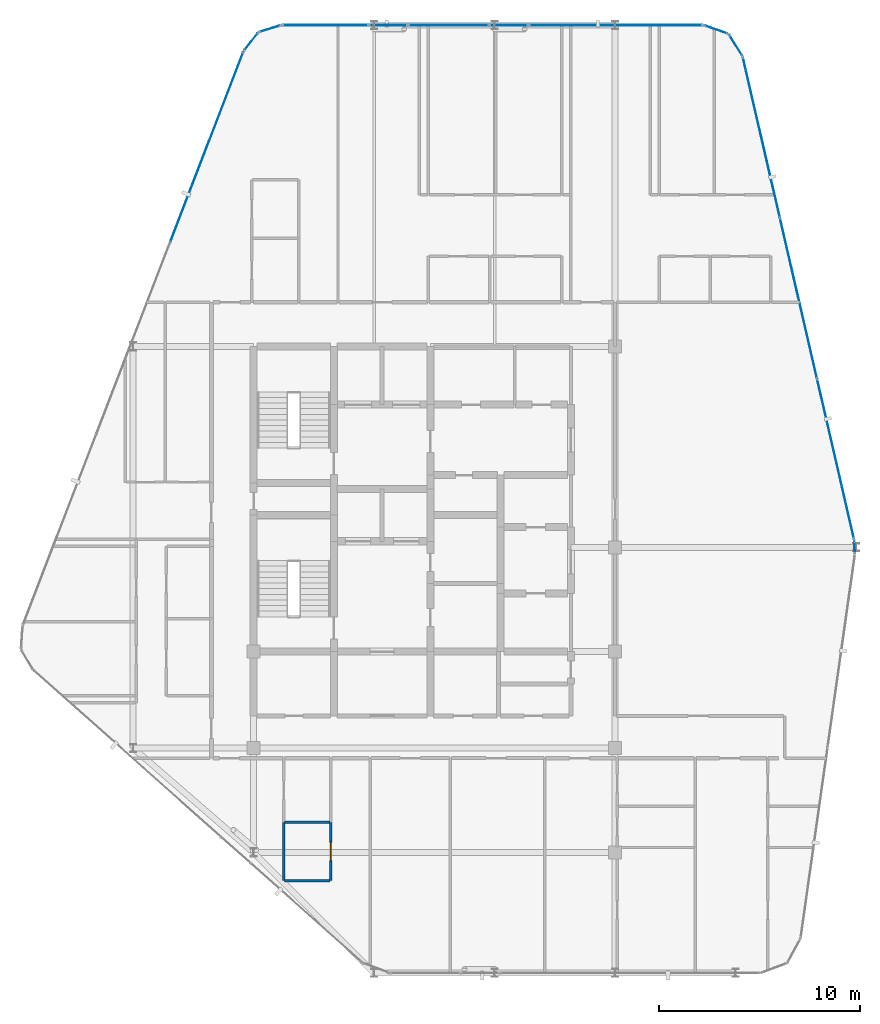
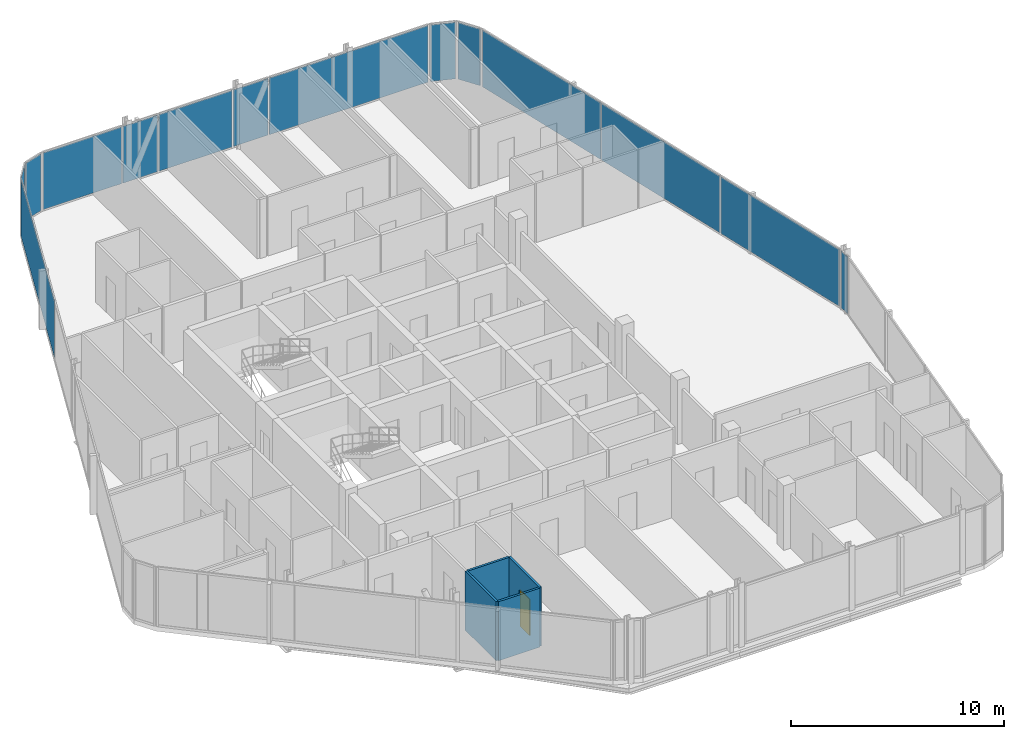
# One storey, part 21 of 27: 14 plates, 4 walls, 1 door, 1 opening, 12 elements without a shape of their own.
"""IFC4 building model written with IfcOpenShell, lengths in metres."""

import ifcopenshell
import ifcopenshell.guid

model = None  # the IFC model being written
_history = None  # IfcOwnerHistory: only IFC2X3 demands one
_inside = {}  # id of a spatial element -> (the spatial element, [elements in it])
_under = {}  # id of a project, library or spatial element -> (it, [spatial elements below it])
_declared = {}  # id of a project -> (the project, [libraries it declares])
_typed = {}  # id of a type object -> (the type object, [elements of that type])
_made_of = {}  # id of a material, layer set ... -> (it, [elements and type objects made of it])


def new_model(schema):
    """Start an empty IFC model of exactly this schema.

    Asked for "IFC4X3", IfcOpenShell would pick the latest addendum, in which some entities
    have other attributes; the version numbers below select the first issue.
    IFC2X3 requires an IfcOwnerHistory on every rooted entity: one is made here for all.
    """
    global model, _history
    if schema == "IFC4X3":
        model = ifcopenshell.file(schema_version=(4, 3, 0, 0))
    else:
        model = ifcopenshell.file(schema=schema)
    _inside.clear()
    _under.clear()
    _declared.clear()
    _typed.clear()
    _made_of.clear()
    _history = None
    if model.schema == "IFC2X3":
        org = make("IfcOrganization", Name="unknown")
        user = make(
            "IfcPersonAndOrganization",
            ThePerson=make("IfcPerson", FamilyName="unknown"),
            TheOrganization=org,
        )
        app = make(
            "IfcApplication",
            ApplicationDeveloper=org,
            Version="unknown",
            ApplicationFullName="unknown",
            ApplicationIdentifier="unknown",
        )
        _history = make(
            "IfcOwnerHistory",
            OwningUser=user,
            OwningApplication=app,
            ChangeAction="ADDED",
            CreationDate=0,
        )
    return model


def make(cls, **values):
    """One entity of the class cls with the attributes given. An attribute that is None is left unset."""
    return model.create_entity(
        cls, **{name: value for name, value in values.items() if value is not None}
    )


def rooted(cls, **values):
    """An entity with a GlobalId (a new one), such as an element, a storey or a relation."""
    return make(cls, GlobalId=ifcopenshell.guid.new(), OwnerHistory=_history, **values)


def si_unit(unit_type, name, prefix=None):
    """IfcSIUnit, for example si_unit("LENGTHUNIT", "METRE", prefix="MILLI")."""
    return make("IfcSIUnit", UnitType=unit_type, Prefix=prefix, Name=name)


def assignment(units):
    """IfcUnitAssignment: the units of a project."""
    return None if units is None else make("IfcUnitAssignment", Units=units)


def point(xyz):
    """IfcCartesianPoint."""
    return None if xyz is None else make("IfcCartesianPoint", Coordinates=xyz)


def direction(xyz):
    """IfcDirection."""
    return None if xyz is None else make("IfcDirection", DirectionRatios=xyz)


def frame(location, z_axis=None, x_axis=None):
    """IfcAxis2Placement3D, a coordinate frame: its origin and axes. An axis left out is left unset."""
    return make(
        "IfcAxis2Placement3D",
        Location=point(location),
        Axis=direction(z_axis),
        RefDirection=direction(x_axis),
    )


def frame_2d(location, x_axis=None):
    """IfcAxis2Placement2D, a coordinate frame in the plane: its origin and x axis."""
    return make(
        "IfcAxis2Placement2D", Location=point(location), RefDirection=direction(x_axis)
    )


def origin():
    """The frame at (0, 0, 0) with its axes left unset."""
    return frame((0.0, 0.0, 0.0))


def origin_2d():
    """The frame at (0, 0) in the plane with its x axis left unset."""
    return frame_2d((0.0, 0.0))


def place(relative_to, where):
    """IfcLocalPlacement: puts the frame where relative to a parent placement (None: the world)."""
    return make(
        "IfcLocalPlacement", PlacementRelTo=relative_to, RelativePlacement=where
    )


def context(
    kind, dimensions, precision=None, world=None, true_north=None, identifier=None
):
    """IfcGeometricRepresentationContext, for example the 3D "Model" context."""
    return make(
        "IfcGeometricRepresentationContext",
        ContextIdentifier=identifier,
        ContextType=kind,
        CoordinateSpaceDimension=dimensions,
        Precision=precision,
        WorldCoordinateSystem=world,
        TrueNorth=true_north,
    )


def subcontext(parent, identifier, kind, view, scale=None):
    """IfcGeometricRepresentationSubContext, for example "Body" below "Model"."""
    return make(
        "IfcGeometricRepresentationSubContext",
        ContextIdentifier=identifier,
        ContextType=kind,
        ParentContext=parent,
        TargetScale=scale,
        TargetView=view,
    )


def project(units=None, contexts=None):
    """IfcProject with its units and contexts."""
    return rooted(
        "IfcProject",
        Name="project",
        RepresentationContexts=contexts,
        UnitsInContext=assignment(units),
    )


def spatial(cls, under=None, at=None, **own):
    """A site, building, storey or space (cls), placed at a placement, below another one or the project."""
    s = rooted(cls, ObjectPlacement=at, **own)
    if under is not None:
        _under.setdefault(under.id(), (under, []))[1].append(s)
    return s


def profile(cls, at=None, kind="AREA", **sizes):
    """A parametric profile (cls). Its sizes go by their IFC names, for example OverallWidth=200.0."""
    return make(cls, ProfileType=kind, Position=at, **sizes)


def rectangle(**sizes):
    """IfcRectangleProfileDef."""
    return profile("IfcRectangleProfileDef", **sizes)


def extrude(swept, where, along, depth):
    """IfcExtrudedAreaSolid: the profile swept, set in the frame where, extruded along a direction by depth."""
    return make(
        "IfcExtrudedAreaSolid",
        SweptArea=swept,
        Position=where,
        ExtrudedDirection=direction(along),
        Depth=depth,
    )


def shape(context_of_items, identifier, shape_type, items):
    """IfcShapeRepresentation: the items that make up one representation, for example the "Body"."""
    return make(
        "IfcShapeRepresentation",
        ContextOfItems=context_of_items,
        RepresentationIdentifier=identifier,
        RepresentationType=shape_type,
        Items=items,
    )


def material(Name=None, Category=None):
    """IfcMaterial."""
    return make("IfcMaterial", Name=Name, Category=Category)


def layer(
    of_material, thickness, ventilated=None, Name=None, Category=None, Priority=None
):
    """IfcMaterialLayer: one layer of a wall or slab, of a material (None: an air gap)."""
    return make(
        "IfcMaterialLayer",
        Material=of_material,
        LayerThickness=thickness,
        IsVentilated=ventilated,
        Name=Name,
        Category=Category,
        Priority=Priority,
    )


def layer_set(layers, Name=None):
    """IfcMaterialLayerSet."""
    return make("IfcMaterialLayerSet", MaterialLayers=layers, LayerSetName=Name)


def made_of(thing, what):
    """Note that an element or type object is made of a material, layer set ...; save() writes the relation."""
    if what is not None:
        _made_of.setdefault(what.id(), (what, []))[1].append(thing)
    return thing


def type_object(cls, material=None, **own):
    """A type object (cls), such as IfcWallType, which elements share."""
    return made_of(rooted(cls, **own), material)


def element(
    cls,
    number,
    at=None,
    inside=None,
    cuts=None,
    type_object=None,
    material=None,
    context=None,
    identifier="Body",
    shape_type=None,
    held_by="IfcProductDefinitionShape",
    body=None,
    shapes=None,
    **own,
):
    """One element of the class cls, such as IfcWall. Its Tag is "e" and its number.

    at: its placement. inside: the storey or other place that contains it. cuts: it is an
    opening in that element (IfcRelVoidsElement). A single representation is given by context,
    identifier, shape_type and body (its items); several are given by shapes. held_by: the class
    of the entity that holds the representations. save() writes the other relations.
    """
    e = rooted(cls, Tag="e%d" % number, ObjectPlacement=at, **own)
    if body is not None:
        shapes = [shape(context, identifier, shape_type, body)]
    if shapes is not None:
        e.Representation = make(held_by, Representations=shapes)
    if inside is not None:
        _inside.setdefault(inside.id(), (inside, []))[1].append(e)
    if cuts is not None:
        rooted(
            "IfcRelVoidsElement", RelatingBuildingElement=cuts, RelatedOpeningElement=e
        )
    if type_object is not None:
        _typed.setdefault(type_object.id(), (type_object, []))[1].append(e)
    return made_of(e, material)


def fill(opening, filler):
    """IfcRelFillsElement: the door or window that sits in an opening."""
    return rooted(
        "IfcRelFillsElement",
        RelatingOpeningElement=opening,
        RelatedBuildingElement=filler,
    )


def aggregate(whole, parts):
    """IfcRelAggregates: a whole, such as a stair, and the parts it consists of."""
    return rooted("IfcRelAggregates", RelatingObject=whole, RelatedObjects=parts)


def save(model, path):
    """Write the relations noted so far, then the file.

    IfcRelAggregates (storeys below a building ...), IfcRelContainedInSpatialStructure (elements
    in a storey), IfcRelDefinesByType, IfcRelAssociatesMaterial and IfcRelDeclares: one each for
    every whole, place, type object, material and project.
    """
    for whole, parts in _under.values():
        aggregate(whole, parts)
    for where, things in _inside.values():
        rooted(
            "IfcRelContainedInSpatialStructure",
            RelatedElements=things,
            RelatingStructure=where,
        )
    for kind, things in _typed.values():
        rooted("IfcRelDefinesByType", RelatedObjects=things, RelatingType=kind)
    for what, things in _made_of.values():
        rooted("IfcRelAssociatesMaterial", RelatedObjects=things, RelatingMaterial=what)
    for by, libraries in _declared.values():
        rooted("IfcRelDeclares", RelatingContext=by, RelatedDefinitions=libraries)
    model.write(path)


model = new_model("IFC4")

# Units and contexts
model_context = context("Model", 3, precision=1e-05, world=origin(), true_north=direction((0.0, 1.0)))
body_context = subcontext(model_context, "Body", "Model", "MODEL_VIEW")
ifc_project = project(units=[si_unit("LENGTHUNIT", "METRE"), si_unit("AREAUNIT", "SQUARE_METRE"), si_unit("VOLUMEUNIT", "CUBIC_METRE"), si_unit("PLANEANGLEUNIT", "RADIAN"), si_unit("MASSUNIT", "GRAM", prefix="KILO")], contexts=[model_context])

# Site, building, storey
site_placement = place(None, origin())
site = spatial("IfcSite", under=ifc_project, at=site_placement, CompositionType="ELEMENT")
building_placement = place(site_placement, origin())
building = spatial("IfcBuilding", under=site, at=building_placement, Name="Keshet Zoharim Tower", CompositionType="ELEMENT")
storey_placement = place(building_placement, frame((0.0, 0.0, 288.0)))
storey = spatial("IfcBuildingStorey", under=building, at=storey_placement, Name="L72", CompositionType="ELEMENT", Elevation=288.0)

# Curtain wall, plate
ifc_material_1 = material(Name="Aluminium 6063-T6", Category="aluminium")
ifc_layer_1 = layer(ifc_material_1, 0.260009765625)
ifc_layer_set_1 = layer_set([ifc_layer_1], Name="Aluminium 6063-T6")
curtain_wall_type = type_object("IfcCurtainWallType", Name="CW-SYS-06", PredefinedType="NOTDEFINED", material=ifc_layer_set_1)
curtain_wall_1_placement = place(storey_placement, origin())
curtain_wall_1 = element("IfcCurtainWall", 1, at=curtain_wall_1_placement, inside=storey, type_object=curtain_wall_type, Name="L72 Unitised Curtain Wall 03", PredefinedType="NOTDEFINED")
ifc_material_2 = material(Name="Insulated Low-E Clear Glass", Category="glass")
ifc_layer_2 = layer(ifc_material_2, 0.028076171875)
ifc_layer_set_2 = layer_set([ifc_layer_2], Name="Insulated Low-E Clear Glass")
plate_type_1 = type_object("IfcPlateType", Name="CWP-03", PredefinedType="CURTAIN_PANEL", material=ifc_layer_set_2)
plate_1_placement = place(storey_placement, frame((12.665771484375, 47.830810546875, 0.070068359375), z_axis=(0.0, 0.0, 1.0), x_axis=(0.358990003907, 0.933341404361, 0.0)))
plate_1 = element("IfcPlate", 2, at=plate_1_placement, type_object=plate_type_1, Name="CW-06 panel 3.1", PredefinedType="CURTAIN_PANEL", context=body_context, shape_type="SweptSolid", body=[
    extrude(rectangle(XDim=10.1181640625, YDim=0.028076171875, at=origin_2d()), origin(), (0.0, 0.0, 1.0), 3.25),
])
aggregate(curtain_wall_1, [plate_1])

curtain_wall_2_placement = place(storey_placement, origin())
curtain_wall_2 = element("IfcCurtainWall", 3, at=curtain_wall_2_placement, inside=storey, type_object=curtain_wall_type, Name="L72 Unitised Curtain Wall 04", PredefinedType="NOTDEFINED")
plate_2_placement = place(storey_placement, frame((14.8740234375, 53.08349609375, 0.070068359375), z_axis=(0.0, 0.0, 1.0), x_axis=(0.619124525989, 0.785292825205, 0.0)))
plate_2 = element("IfcPlate", 4, at=plate_2_placement, type_object=plate_type_1, Name="CW-06 panel 1.1", PredefinedType="CURTAIN_PANEL", context=body_context, shape_type="SweptSolid", body=[
    extrude(rectangle(XDim=1.045654296875, YDim=0.028076171875, at=origin_2d()), origin(), (0.0, 0.0, 1.0), 3.25),
])
aggregate(curtain_wall_2, [plate_2])

curtain_wall_3_placement = place(storey_placement, origin())
curtain_wall_3 = element("IfcCurtainWall", 5, at=curtain_wall_3_placement, inside=storey, type_object=curtain_wall_type, Name="L72 Unitised Curtain Wall 05", PredefinedType="NOTDEFINED")
plate_3_placement = place(storey_placement, frame((15.8076171875, 53.724609375, 0.070068359375), z_axis=(0.0, 0.0, 1.0), x_axis=(0.955212151288, 0.295921857984, 0.0)))
plate_3 = element("IfcPlate", 6, at=plate_3_placement, type_object=plate_type_1, Name="CW-06 panel 1.1", PredefinedType="CURTAIN_PANEL", context=body_context, shape_type="SweptSolid", body=[
    extrude(rectangle(XDim=1.046142578125, YDim=0.028076171875, at=origin_2d()), origin(), (0.0, 0.0, 1.0), 3.25),
])
aggregate(curtain_wall_3, [plate_3])

curtain_wall_4_placement = place(storey_placement, origin())
curtain_wall_4 = element("IfcCurtainWall", 7, at=curtain_wall_4_placement, inside=storey, type_object=curtain_wall_type, Name="L72 Unitised Curtain Wall 06", PredefinedType="NOTDEFINED")
plate_4_placement = place(storey_placement, frame((18.57470703125, 53.89990234375, 0.070068359375), z_axis=(0.0, 0.0, 1.0), x_axis=(1.0, 0.0, 0.0)))
plate_4 = element("IfcPlate", 8, at=plate_4_placement, type_object=plate_type_1, Name="CW-06 panel 1.1", PredefinedType="CURTAIN_PANEL", context=body_context, shape_type="SweptSolid", body=[
    extrude(rectangle(XDim=4.26123046875, YDim=0.028076171875, at=origin_2d()), origin(), (0.0, 0.0, 1.0), 3.25),
])
aggregate(curtain_wall_4, [plate_4])

curtain_wall_5_placement = place(storey_placement, origin())
curtain_wall_5 = element("IfcCurtainWall", 9, at=curtain_wall_5_placement, inside=storey, type_object=curtain_wall_type, Name="L72 Unitised Curtain Wall 06 Part 3", PredefinedType="NOTDEFINED")
plate_5_placement = place(storey_placement, frame((24.715087890625, 53.89990234375, 0.070068359375), z_axis=(0.0, 0.0, 1.0), x_axis=(1.0, 0.0, 0.0)))
plate_5 = element("IfcPlate", 10, at=plate_5_placement, type_object=plate_type_1, Name="CW-06 panel 1.1", PredefinedType="CURTAIN_PANEL", context=body_context, shape_type="SweptSolid", body=[
    extrude(rectangle(XDim=3.98046875, YDim=0.028076171875, at=origin_2d()), origin(), (0.0, 0.0, 1.0), 3.25),
])
aggregate(curtain_wall_5, [plate_5])

curtain_wall_6_placement = place(storey_placement, origin())
curtain_wall_6 = element("IfcCurtainWall", 11, at=curtain_wall_6_placement, inside=storey, type_object=curtain_wall_type, Name="L72 Unitised Curtain Wall 06 Part 5", PredefinedType="NOTDEFINED")
plate_6_placement = place(storey_placement, frame((33.031982421875, 53.89990234375, 0.070068359375), z_axis=(0.0, 0.0, 1.0), x_axis=(1.0, 0.0, 0.0)))
plate_6 = element("IfcPlate", 12, at=plate_6_placement, type_object=plate_type_1, Name="CW-06 panel 1.1", PredefinedType="CURTAIN_PANEL", context=body_context, shape_type="SweptSolid", body=[
    extrude(rectangle(XDim=8.6142578125, YDim=0.028076171875, at=origin_2d()), origin(), (0.0, 0.0, 1.0), 3.25),
])
aggregate(curtain_wall_6, [plate_6])

curtain_wall_7_placement = place(storey_placement, origin())
curtain_wall_7 = element("IfcCurtainWall", 13, at=curtain_wall_7_placement, inside=storey, type_object=curtain_wall_type, Name="L72 Unitised Curtain Wall 07", PredefinedType="NOTDEFINED")
plate_7_placement = place(storey_placement, frame((38.031494140625, 53.6826171875, 0.070068359375), z_axis=(0.0, 0.0, 1.0), x_axis=(0.944035542119, -0.329843743636, 0.0)))
plate_7 = element("IfcPlate", 14, at=plate_7_placement, type_object=plate_type_1, Name="CW-06 panel 1.1", PredefinedType="CURTAIN_PANEL", context=body_context, shape_type="SweptSolid", body=[
    extrude(rectangle(XDim=1.1787109375, YDim=0.028076171875, at=origin_2d()), origin(), (0.0, 0.0, 1.0), 3.25),
])
aggregate(curtain_wall_7, [plate_7])

curtain_wall_8_placement = place(storey_placement, origin())
curtain_wall_8 = element("IfcCurtainWall", 15, at=curtain_wall_8_placement, inside=storey, type_object=curtain_wall_type, Name="L72 Unitised Curtain Wall 08", PredefinedType="NOTDEFINED")
plate_8_placement = place(storey_placement, frame((39.006103515625, 52.907470703125, 0.070068359375), z_axis=(0.0, 0.0, 1.0), x_axis=(0.533878858502, -0.845560976183, 0.0)))
plate_8 = element("IfcPlate", 16, at=plate_8_placement, type_object=plate_type_1, Name="CW-06 panel 1.1", PredefinedType="CURTAIN_PANEL", context=body_context, shape_type="SweptSolid", body=[
    extrude(rectangle(XDim=1.1787109375, YDim=0.028076171875, at=origin_2d()), origin(), (0.0, 0.0, 1.0), 3.25),
])
aggregate(curtain_wall_8, [plate_8])

# Curtain wall, plates
curtain_wall_9_placement = place(storey_placement, origin())
curtain_wall_9 = element("IfcCurtainWall", 17, at=curtain_wall_9_placement, inside=storey, type_object=curtain_wall_type, Name="L72 Unitised Curtain Wall 09", PredefinedType="NOTDEFINED")
plate_9_placement = place(storey_placement, frame((40.288330078125, 48.318359375, 0.070068359375), z_axis=(0.0, 0.0, 1.0), x_axis=(0.224829963294, -0.974398012932, 0.0)))
plate_9 = element("IfcPlate", 18, at=plate_9_placement, type_object=plate_type_1, Name="CW-06 panel 1.1", PredefinedType="CURTAIN_PANEL", context=body_context, shape_type="SweptSolid", body=[
    extrude(rectangle(XDim=8.13525390625, YDim=0.028076171875, at=origin_2d()), origin(), (0.0, 0.0, 1.0), 3.25),
])
plate_10_placement = place(storey_placement, frame((42.136962890625, 40.305908203125, 0.070068359375), z_axis=(0.0, 0.0, 1.0), x_axis=(0.224829963294, -0.974398012932, 0.0)))
plate_10 = element("IfcPlate", 19, at=plate_10_placement, type_object=plate_type_1, Name="CW-06 panel 2.1", PredefinedType="CURTAIN_PANEL", context=body_context, shape_type="SweptSolid", body=[
    extrude(rectangle(XDim=8.17041015625, YDim=0.028076171875, at=origin_2d()), origin(), (0.0, 0.0, 1.0), 3.25),
])
plate_11_placement = place(storey_placement, frame((43.98583984375, 32.293701171875, 0.070068359375), z_axis=(0.0, 0.0, 1.0), x_axis=(0.224829963294, -0.974398012932, 0.0)))
plate_11 = element("IfcPlate", 20, at=plate_11_placement, type_object=plate_type_1, Name="CW-06 panel 3.1", PredefinedType="CURTAIN_PANEL", context=body_context, shape_type="SweptSolid", body=[
    extrude(rectangle(XDim=8.13525390625, YDim=0.028076171875, at=origin_2d()), origin(), (0.0, 0.0, 1.0), 3.25),
])
aggregate(curtain_wall_9, [plate_9, plate_10, plate_11])

# Curtain wall, plate
curtain_wall_10_placement = place(storey_placement, origin())
curtain_wall_10 = element("IfcCurtainWall", 21, at=curtain_wall_10_placement, inside=storey, type_object=curtain_wall_type, Name="L72 Unitised Curtain Wall 10", PredefinedType="NOTDEFINED")
plate_12_placement = place(storey_placement, frame((44.931884765625, 27.89697265625, 0.070068359375), z_axis=(0.0, 0.0, 1.0), x_axis=(0.043793560626, -0.999040601801, 0.0)))
plate_12 = element("IfcPlate", 22, at=plate_12_placement, type_object=plate_type_1, Name="CW-06 panel 1.1", PredefinedType="CURTAIN_PANEL", context=body_context, shape_type="SweptSolid", body=[
    extrude(rectangle(XDim=0.5908203125, YDim=0.028076171875, at=origin_2d()), origin(), (0.0, 0.0, 1.0), 3.25),
])
aggregate(curtain_wall_10, [plate_12])

curtain_wall_11_placement = place(storey_placement, origin())
curtain_wall_11 = element("IfcCurtainWall", 23, at=curtain_wall_11_placement, inside=storey, type_object=curtain_wall_type, Name="L72 Unitised Curtain Wall 06 Part 2", PredefinedType="NOTDEFINED")
ifc_material_3 = material(Name="Insulated Aluminium Spandrel Panel", Category="aluminium")
ifc_layer_3 = layer(ifc_material_3, 0.028076171875)
ifc_layer_set_3 = layer_set([ifc_layer_3], Name="Insulated Aluminium Spandrel Panel")
plate_type_2 = type_object("IfcPlateType", Name="CWP-06", PredefinedType="CURTAIN_PANEL", material=ifc_layer_set_3)
plate_13_placement = place(storey_placement, frame((21.715087890625, 53.89990234375, 0.070068359375), z_axis=(0.0, 0.0, 1.0), x_axis=(1.0, 0.0, 0.0)))
plate_13 = element("IfcPlate", 24, at=plate_13_placement, type_object=plate_type_2, Name="CW-06 spandrel panel 1.1", PredefinedType="CURTAIN_PANEL", context=body_context, shape_type="SweptSolid", body=[
    extrude(rectangle(XDim=1.879638671875, YDim=0.028076171875, at=origin_2d()), origin(), (0.0, 0.0, 1.0), 3.25),
])
aggregate(curtain_wall_11, [plate_13])

curtain_wall_12_placement = place(storey_placement, origin())
curtain_wall_12 = element("IfcCurtainWall", 25, at=curtain_wall_12_placement, inside=storey, type_object=curtain_wall_type, Name="L72 Unitised Curtain Wall 06 Part 4", PredefinedType="NOTDEFINED")
plate_14_placement = place(storey_placement, frame((27.715087890625, 53.89990234375, 0.070068359375), z_axis=(0.0, 0.0, 1.0), x_axis=(1.0, 0.0, 0.0)))
plate_14 = element("IfcPlate", 26, at=plate_14_placement, type_object=plate_type_2, Name="CW-06 spandrel panel 1.1", PredefinedType="CURTAIN_PANEL", context=body_context, shape_type="SweptSolid", body=[
    extrude(rectangle(XDim=1.879638671875, YDim=0.028076171875, at=origin_2d()), origin(), (0.0, 0.0, 1.0), 3.25),
])
aggregate(curtain_wall_12, [plate_14])

# Wall
ifc_material_4 = material(Name="Gypsum Plasterboard", Category="gypsum")
ifc_layer_4 = layer(ifc_material_4, 0.1201171875)
ifc_layer_set_4 = layer_set([ifc_layer_4], Name="Gypsum Plasterboard")
wall_type = type_object("IfcWallType", Name="WL-WET-120", PredefinedType="PARTITIONING", material=ifc_layer_set_4)
wall_1_placement = place(storey_placement, frame((16.5, 11.300048828125, 0.0), z_axis=(0.0, 0.0, 1.0), x_axis=(0.0, 1.0, 0.0)))
element("IfcWall", 27, at=wall_1_placement, inside=storey, type_object=wall_type, Name="L72 Interior Wall 020", PredefinedType="PARTITIONING", context=body_context, shape_type="SweptSolid", body=[
    extrude(rectangle(XDim=2.89990234375, YDim=0.1201171875, at=frame_2d((1.449951171875, 0.0))), origin(), (0.0, 0.0, 1.0), 3.389892578125),
])

# Wall, opening, door
wall_2_placement = place(storey_placement, frame((18.85009765625, 11.300048828125, 0.0), z_axis=(0.0, 0.0, 1.0), x_axis=(0.0, 1.0, 0.0)))
wall_2 = element("IfcWall", 28, at=wall_2_placement, inside=storey, type_object=wall_type, Name="L72 Interior Wall 024", PredefinedType="PARTITIONING", context=body_context, shape_type="SweptSolid", body=[
    extrude(rectangle(XDim=2.89990234375, YDim=0.1201171875, at=frame_2d((1.449951171875, 0.0))), origin(), (0.0, 0.0, 1.0), 3.389892578125),
])
opening_placement = place(wall_2_placement, frame((1.0, 0.0, 0.0)))
opening = element("IfcOpeningElement", 29, at=opening_placement, cuts=wall_2, Name="Opening D-WT90", PredefinedType="OPENING", context=body_context, shape_type="SweptSolid", body=[
    extrude(rectangle(XDim=0.89990234375, YDim=2.10009765625, at=frame_2d((0.449951171875, 1.050048828125))), frame((0.0, 0.070068359375, 0.0), z_axis=(0.0, -1.0, 0.0), x_axis=(1.0, 0.0, 0.0)), (0.0, 0.0, 1.0), 0.14013671875),
])
ifc_material_5 = material(Name="Hardwood Timber", Category="wood")
door_type = type_object("IfcDoorType", Name="DR-WET-090", OperationType="NOTDEFINED", PredefinedType="DOOR", material=ifc_material_5)
door_placement = place(opening_placement, origin())
door = element("IfcDoor", 30, at=door_placement, inside=storey, type_object=door_type, Name="Apartment 7201 Bathroom Door", OperationType="SINGLE_SWING_RIGHT", OverallHeight=2.10009765625, OverallWidth=0.89990234375, PredefinedType="DOOR", context=body_context, shape_type="SweptSolid", body=[
    extrude(rectangle(XDim=0.89990234375, YDim=2.10009765625, at=frame_2d((0.449951171875, 1.050048828125))), frame((0.0, 0.02490234375, 0.0), z_axis=(0.0, -1.0, 0.0), x_axis=(1.0, 0.0, 0.0)), (0.0, 0.0, 1.0), 0.050048828125),
])
fill(opening, door)

# Walls
for number, where, z_axis, x_axis, name in (
    (31, (16.544921875, 11.300048828125, 0.0), (0.0, 0.0, 1.0), (1.0, 0.0, 0.0), "L72 Interior Wall 083"),
    (32, (16.544921875, 14.199951171875, 0.0), (0.0, 0.0, 1.0), (1.0, 0.0, 0.0), "L72 Interior Wall 086"),
):
    element("IfcWall", number, at=place(storey_placement, frame(where, z_axis=z_axis, x_axis=x_axis)), inside=storey, type_object=wall_type, Name=name, PredefinedType="PARTITIONING", context=body_context, shape_type="SweptSolid", body=[
        extrude(rectangle(XDim=2.260009765625, YDim=0.1201171875, at=frame_2d((1.1298828125, 0.0))), origin(), (0.0, 0.0, 1.0), 3.389892578125),
    ])

save(model, "model.ifc")
